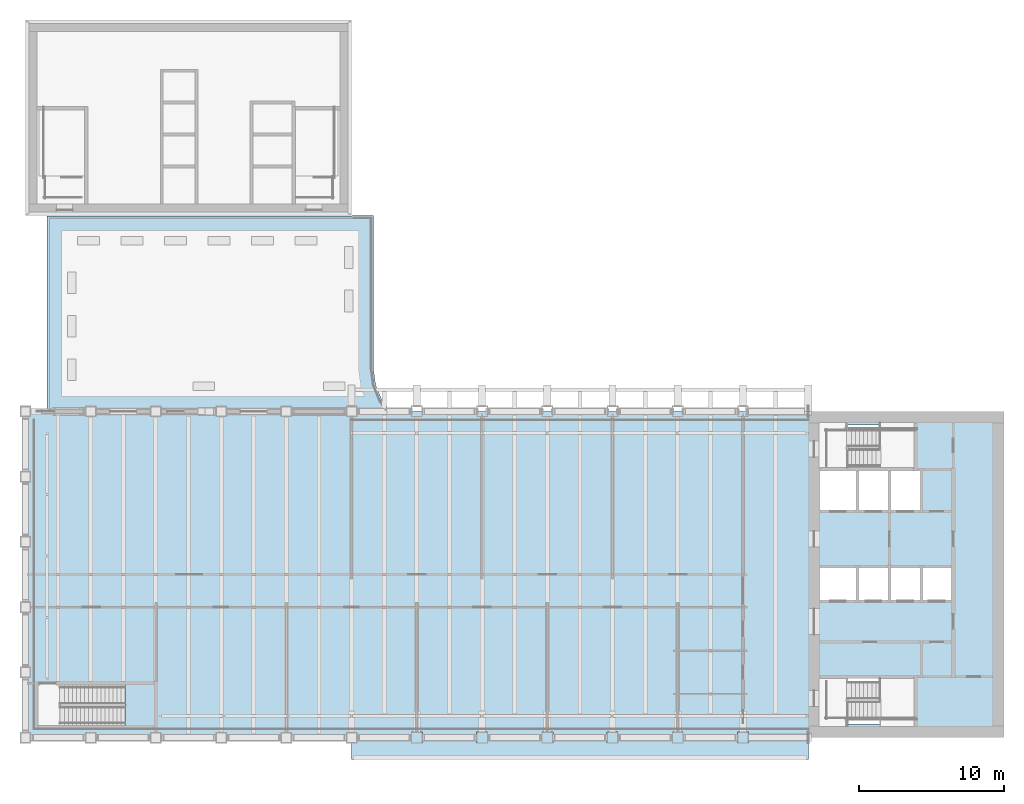
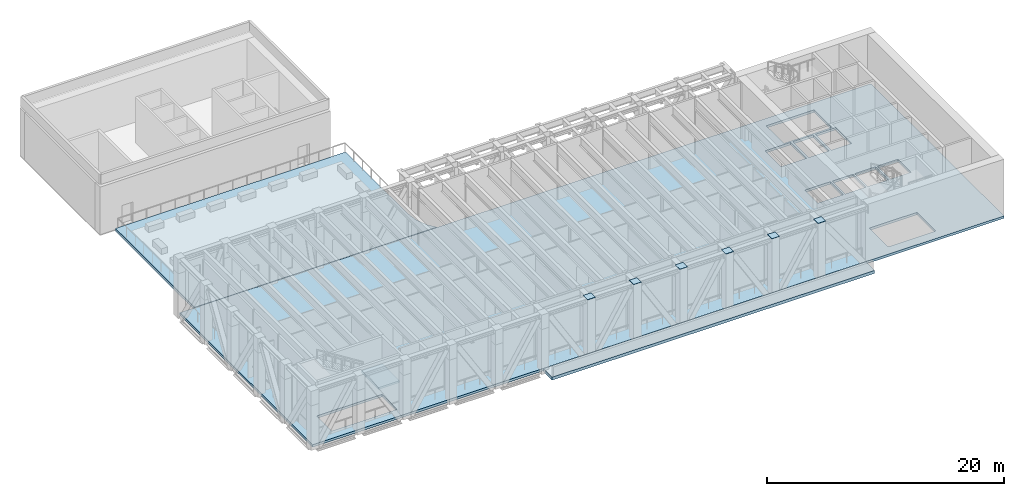
# One storey, part 3 of 20: 6 plates, 4 slabs, 1 element without a shape of its own.
"""IFC4 building model written with IfcOpenShell, lengths in metres."""

from ifc_helpers import new_model, si_unit, direction, frame, origin, origin_2d, place, context, subcontext, project, spatial, polyline, rectangle, outline, extrude, material, layer, layer_set, type_object, element, aggregate, save


model = new_model("IFC4")

# Units and contexts
model_context = context("Model", 3, precision=1e-05, world=origin(), true_north=direction((0.0, 1.0)))
body_context = subcontext(model_context, "Body", "Model", "MODEL_VIEW")
ifc_project = project(units=[si_unit("LENGTHUNIT", "METRE"), si_unit("AREAUNIT", "SQUARE_METRE"), si_unit("VOLUMEUNIT", "CUBIC_METRE"), si_unit("PLANEANGLEUNIT", "RADIAN"), si_unit("MASSUNIT", "GRAM", prefix="KILO")], contexts=[model_context])

# Site, building, storey
site_placement = place(None, origin())
site = spatial("IfcSite", under=ifc_project, at=site_placement, CompositionType="ELEMENT")
building_placement = place(site_placement, origin())
building = spatial("IfcBuilding", under=site, at=building_placement, Name="Sennacour Bend Tower", CompositionType="ELEMENT")
storey_placement = place(building_placement, frame((0.0, 0.0, 243.0)))
storey = spatial("IfcBuildingStorey", under=building, at=storey_placement, Name="L56", CompositionType="ELEMENT", Elevation=243.0)

# Plates
ifc_material_1 = material(Name="Steel ASTM A572 Grade 50", Category="steel")
ifc_layer_1 = layer(ifc_material_1, 0.02490234375, Name="Steel ASTM A572 Grade 50", Category="steel")
ifc_layer_set_1 = layer_set([ifc_layer_1], Name="Steel ASTM A572 Grade 50")
plate_type = type_object("IfcPlateType", Name="Column cap plate 750", PredefinedType="USERDEFINED", material=ifc_layer_set_1)
for number, where, z_axis, x_axis, name in (
    (1, (27.0, 0.0, 5.85009765625), (0.0, 0.0, 1.0), (1.0, 0.0, 0.0), "Column cap plate L56-017"),
    (2, (31.5, 0.0, 5.85009765625), (0.0, 0.0, 1.0), (1.0, 0.0, 0.0), "Column cap plate L56-019"),
    (3, (36.0, 0.0, 5.85009765625), (0.0, 0.0, 1.0), (1.0, 0.0, 0.0), "Column cap plate L56-021"),
    (4, (40.5, 0.0, 5.85009765625), (0.0, 0.0, 1.0), (1.0, 0.0, 0.0), "Column cap plate L56-023"),
    (5, (45.0, 0.0, 5.85009765625), (0.0, 0.0, 1.0), (1.0, 0.0, 0.0), "Column cap plate L56-025"),
    (6, (49.5, 0.0, 5.85009765625), (0.0, 0.0, 1.0), (1.0, 0.0, 0.0), "Column cap plate L56-027"),
):
    element("IfcPlate", number, at=place(storey_placement, frame(where, z_axis=z_axis, x_axis=x_axis)), inside=storey, type_object=plate_type, Name=name, ObjectType="END PLATE", PredefinedType="USERDEFINED", context=body_context, shape_type="SweptSolid", body=[
        extrude(rectangle(XDim=0.75, YDim=0.75, at=origin_2d()), origin(), (0.0, 0.0, 1.0), 0.02490234375),
    ])

# Slabs
ifc_material_2 = material(Name="Concrete C30/37", Category="concrete")
ifc_layer_2 = layer(ifc_material_2, 0.25, Name="Concrete C30/37", Category="concrete")
ifc_layer_set_2 = layer_set([ifc_layer_2], Name="Concrete C30/37")
slab_type_1 = type_object("IfcSlabType", Name="Floor slab 250", PredefinedType="FLOOR", material=ifc_layer_set_2)
slab_1_placement = place(storey_placement, frame((0.0, 0.0, -0.25)))
element("IfcSlab", 7, at=slab_1_placement, inside=storey, type_object=slab_type_1, Name="Floor slab L56-01", PredefinedType="FLOOR", context=body_context, shape_type="SweptSolid", body=[
    extrude(outline(polyline([(0.0, 22.5), (22.5, 22.5), (54.0, 22.5), (67.5, 22.5), (67.5, 0.0), (54.0, 0.0), (22.5, 0.0), (0.0, 0.0), (0.0, 22.5)]), holes=[polyline([(8.800048828125, 3.5), (2.429931640625, 3.5), (2.429931640625, 0.949951171875), (8.800048828125, 0.949951171875), (8.800048828125, 3.5)]), polyline([(61.39990234375, 4.125), (56.72998046875, 4.125), (56.72998046875, 0.949951171875), (61.39990234375, 0.949951171875), (61.39990234375, 4.125)]), polyline([(57.300048828125, 11.699951171875), (54.800048828125, 11.699951171875), (54.800048828125, 9.5), (57.300048828125, 9.5), (57.300048828125, 11.699951171875)]), polyline([(59.5, 9.5), (59.5, 11.699951171875), (57.5, 11.699951171875), (57.5, 9.5), (59.5, 9.5)]), polyline([(61.699951171875, 9.5), (61.699951171875, 11.699951171875), (59.699951171875, 11.699951171875), (59.699951171875, 9.5), (61.699951171875, 9.5)]), polyline([(63.89990234375, 11.699951171875), (61.89990234375, 11.699951171875), (61.89990234375, 9.5), (63.89990234375, 9.5), (63.89990234375, 11.699951171875)]), polyline([(57.300048828125, 18.39990234375), (54.800048828125, 18.39990234375), (54.800048828125, 15.699951171875), (57.300048828125, 15.699951171875), (57.300048828125, 18.39990234375)]), polyline([(59.5, 18.39990234375), (57.5, 18.39990234375), (57.5, 15.699951171875), (59.5, 15.699951171875), (59.5, 18.39990234375)]), polyline([(61.699951171875, 15.699951171875), (61.699951171875, 18.39990234375), (59.699951171875, 18.39990234375), (59.699951171875, 15.699951171875), (61.699951171875, 15.699951171875)]), polyline([(61.39990234375, 18.574951171875), (61.39990234375, 21.550048828125), (56.72998046875, 21.550048828125), (56.72998046875, 18.574951171875), (61.39990234375, 18.574951171875)])]), origin(), (0.0, 0.0, 1.0), 0.25),
])
ifc_material_3 = material(Name="Concrete C40/50", Category="concrete")
ifc_layer_3 = layer(ifc_material_3, 0.300048828125, Name="Concrete C40/50", Category="concrete")
ifc_layer_set_3 = layer_set([ifc_layer_3], Name="Concrete C40/50")
slab_type_2 = type_object("IfcSlabType", Name="Roof slab 300", PredefinedType="ROOF", material=ifc_layer_set_3)
slab_2_placement = place(storey_placement, frame((0.0, 0.0, -0.300048828125)))
element("IfcSlab", 8, at=slab_2_placement, inside=storey, type_object=slab_type_2, Name="Roof slab Wing B Roof", PredefinedType="ROOF", context=body_context, shape_type="SweptSolid", body=[
    extrude(outline(polyline([(24.0, 36.0), (24.0, 25.5), (24.1533203125, 24.335205078125), (24.602783203125, 23.25), (25.155517578125, 22.530029296875), (1.5, 22.530029296875), (1.5, 35.969970703125), (22.530029296875, 35.969970703125), (22.530029296875, 36.0), (24.0, 36.0)])), origin(), (0.0, 0.0, 1.0), 0.300048828125),
])
slab_3_placement = place(storey_placement, frame((0.0, 0.0, -0.300048828125)))
element("IfcSlab", 9, at=slab_3_placement, inside=storey, type_object=slab_type_2, Name="Roof slab Wing B Roof", PredefinedType="ROOF", context=body_context, shape_type="SweptSolid", body=[
    extrude(outline(polyline([(54.0, -0.030029296875), (54.0, -1.5), (22.5, -1.5), (22.5, -0.030029296875), (54.0, -0.030029296875)])), origin(), (0.0, 0.0, 1.0), 0.300048828125),
])

# Stair, slab
stair_type = type_object("IfcStairType", Name="ST-DOGLEG", PredefinedType="HALF_TURN_STAIR", material=ifc_material_3)
stair_placement = place(storey_placement, origin())
stair = element("IfcStair", 10, at=stair_placement, inside=storey, type_object=stair_type, Name="L56 Exit stair K1", PredefinedType="HALF_TURN_STAIR")
ifc_layer_4 = layer(ifc_material_3, 0.199951171875, Name="Concrete C40/50", Category="concrete")
ifc_layer_set_4 = layer_set([ifc_layer_4], Name="Concrete C40/50")
slab_type_3 = type_object("IfcSlabType", Name="Stair landing 200", PredefinedType="LANDING", material=ifc_layer_set_4)
slab_4_placement = place(storey_placement, frame((0.0, 0.0, 2.800048828125)))
slab_4 = element("IfcSlab", 11, at=slab_4_placement, type_object=slab_type_3, Name="SK1 landing 1", PredefinedType="LANDING", context=body_context, shape_type="SweptSolid", body=[
    extrude(outline(polyline([(6.8798828125, 0.800048828125), (8.925048828125, 0.800048828125), (8.925048828125, 3.675048828125), (6.8798828125, 3.675048828125), (6.8798828125, 0.800048828125)])), origin(), (0.0, 0.0, 1.0), 0.199951171875),
])
aggregate(stair, [slab_4])

save(model, "model.ifc")
